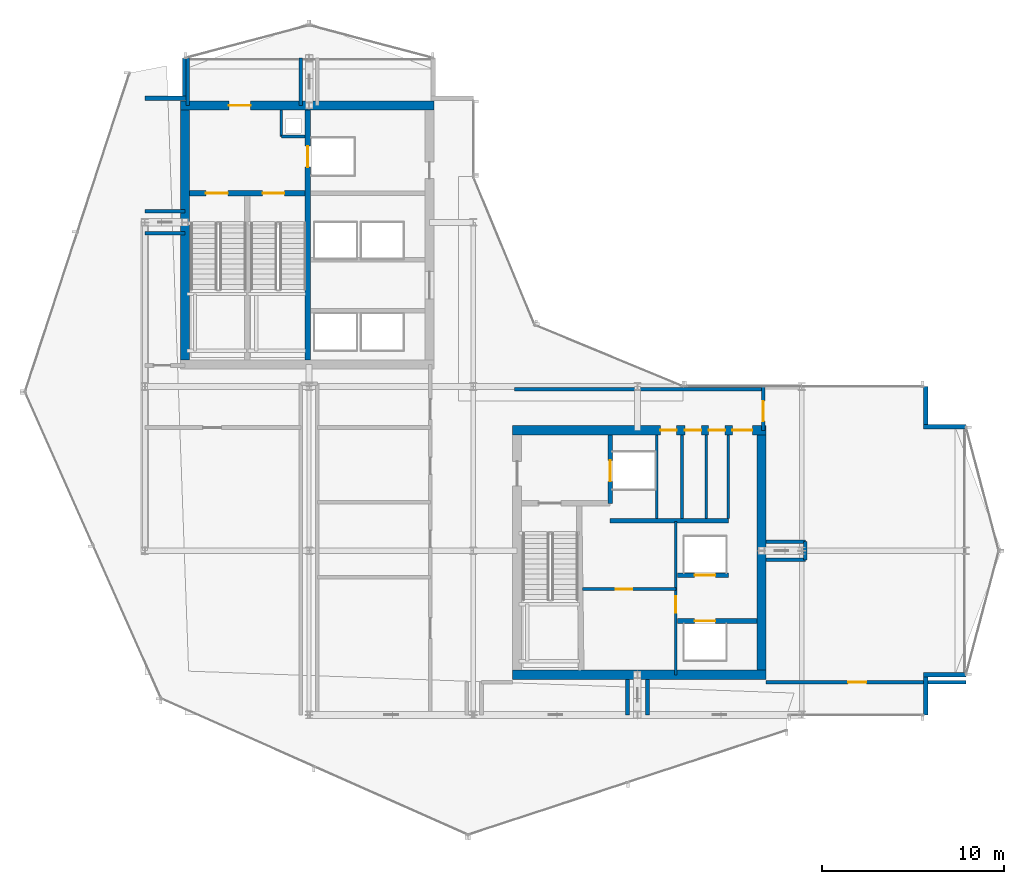
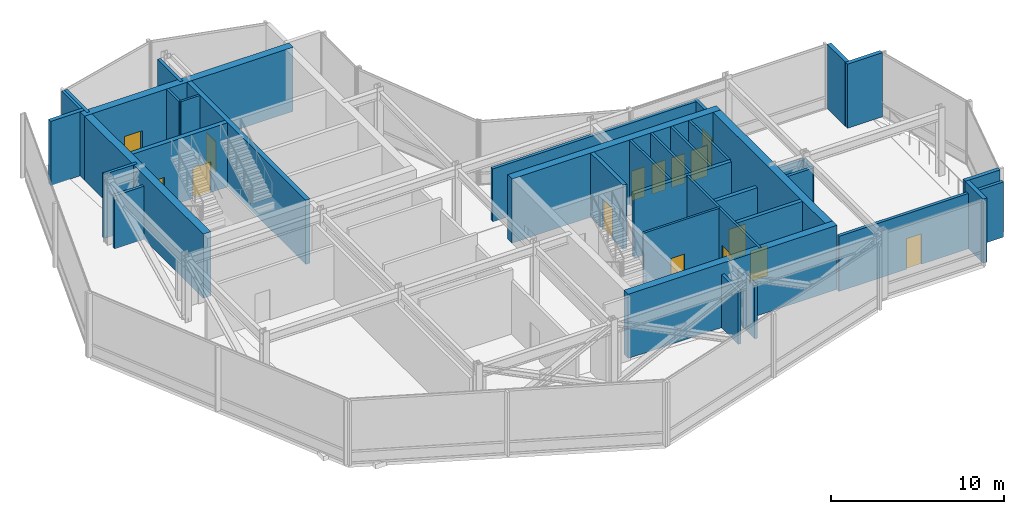
# One storey, part 23 of 30: 37 walls, 15 doors, 15 openings.
"""IFC4 building model written with IfcOpenShell, lengths in metres."""

from ifc_helpers import new_model, si_unit, direction, frame, frame_2d, origin, place, context, subcontext, project, spatial, rectangle, extrude, material, layer, layer_set, type_object, element, fill, save


model = new_model("IFC4")

# Units and contexts
model_context = context("Model", 3, precision=1e-05, world=origin(), true_north=direction((0.0, 1.0)))
body_context = subcontext(model_context, "Body", "Model", "MODEL_VIEW")
ifc_project = project(units=[si_unit("LENGTHUNIT", "METRE"), si_unit("AREAUNIT", "SQUARE_METRE"), si_unit("VOLUMEUNIT", "CUBIC_METRE"), si_unit("PLANEANGLEUNIT", "RADIAN"), si_unit("MASSUNIT", "GRAM", prefix="KILO")], contexts=[model_context])

# Site, building, storey
site_placement = place(None, origin())
site = spatial("IfcSite", under=ifc_project, at=site_placement, CompositionType="ELEMENT")
building_placement = place(site_placement, origin())
building = spatial("IfcBuilding", under=site, at=building_placement, Name="Solvaryn Broadcast Tower", CompositionType="ELEMENT")
storey_placement = place(building_placement, frame((0.0, 0.0, 196.39990234375)))
storey = spatial("IfcBuildingStorey", under=building, at=storey_placement, Name="L49", CompositionType="ELEMENT", Elevation=196.39990234375)

# Wall, opening, door
ifc_material_1 = material(Name="Concrete f'c 70 MPa", Category="concrete")
ifc_layer_1 = layer(ifc_material_1, 0.5)
ifc_layer_set_1 = layer_set([ifc_layer_1], Name="CW-SHEAR-500")
wall_type_1 = type_object("IfcWallType", Name="CW-SHEAR-500", PredefinedType="SHEAR", material=ifc_layer_set_1)
wall_1_placement = place(storey_placement, frame((24.85009765625, 42.39990234375, 0.0), z_axis=(0.0, 0.0, 1.0), x_axis=(-1.0, 0.0, 0.0)))
wall_1 = element("IfcWall", 1, at=wall_1_placement, inside=storey, type_object=wall_type_1, Name="L49 West Core North Shear Wall", PredefinedType="SHEAR", context=body_context, shape_type="SweptSolid", body=[
    extrude(rectangle(XDim=13.900146484375, YDim=0.5, at=frame_2d((6.9501953125, 0.0))), origin(), (0.0, 0.0, 1.0), 4.52001953125),
])
opening_1_placement = place(wall_1_placement, frame((10.050048828125, 0.0, 0.0)))
opening_1 = element("IfcOpeningElement", 2, at=opening_1_placement, cuts=wall_1, Name="Opening FD90A", PredefinedType="OPENING", context=body_context, shape_type="SweptSolid", body=[
    extrude(rectangle(XDim=1.199951171875, YDim=2.14990234375, at=frame_2d((0.60009765625, 1.074951171875))), frame((0.0, 0.260009765625, 0.0), z_axis=(0.0, -1.0, 0.0), x_axis=(1.0, 0.0, 0.0)), (0.0, 0.0, 1.0), 0.52001953125),
])
ifc_material_2 = material(Name="Flush Acoustic Steel and Timber Door Assembly", Category="steel")
door_type_1 = type_object("IfcDoorType", Name="FD90-STAIR-1200X2150", OperationType="NOTDEFINED", PredefinedType="DOOR", material=ifc_material_2)
door_1_placement = place(opening_1_placement, origin())
door_1 = element("IfcDoor", 3, at=door_1_placement, inside=storey, type_object=door_type_1, Name="L49 West FSAE Lobby Corridor Door", OperationType="SINGLE_SWING_LEFT", OverallHeight=2.14990234375, OverallWidth=1.199951171875, PredefinedType="DOOR", context=body_context, shape_type="SweptSolid", body=[
    extrude(rectangle(XDim=1.199951171875, YDim=2.14990234375, at=frame_2d((0.60009765625, 1.074951171875))), frame((0.0, 0.02490234375, 0.0), z_axis=(0.0, -1.0, 0.0), x_axis=(1.0, 0.0, 0.0)), (0.0, 0.0, 1.0), 0.050048828125),
])
fill(opening_1, door_1)

# Walls
wall_2_placement = place(storey_placement, frame((11.199951171875, 42.14990234375, 0.0), z_axis=(0.0, 0.0, 1.0), x_axis=(0.0, -1.0, 0.0)))
element("IfcWall", 4, at=wall_2_placement, inside=storey, type_object=wall_type_1, Name="L49 West Core West Shear Wall", PredefinedType="SHEAR", context=body_context, shape_type="SweptSolid", body=[
    extrude(rectangle(XDim=13.699951171875, YDim=0.5, at=frame_2d((6.85009765625, 0.0))), origin(), (0.0, 0.0, 1.0), 4.52001953125),
])
wall_3_placement = place(storey_placement, frame((29.14990234375, 11.199951171875, 0.0), z_axis=(0.0, 0.0, 1.0), x_axis=(1.0, 0.0, 0.0)))
element("IfcWall", 5, at=wall_3_placement, inside=storey, type_object=wall_type_1, Name="L49 East Core South Shear Wall", PredefinedType="SHEAR", context=body_context, shape_type="SweptSolid", body=[
    extrude(rectangle(XDim=13.900146484375, YDim=0.5, at=frame_2d((6.9501953125, 0.0))), origin(), (0.0, 0.0, 1.0), 4.52001953125),
])

# Wall, openings, doors
wall_4_placement = place(storey_placement, frame((43.050048828125, 24.60009765625, 0.0), z_axis=(0.0, 0.0, 1.0), x_axis=(-1.0, 0.0, 0.0)))
wall_4 = element("IfcWall", 6, at=wall_4_placement, inside=storey, type_object=wall_type_1, Name="L49 East Core North Shear Wall", PredefinedType="SHEAR", context=body_context, shape_type="SweptSolid", body=[
    extrude(rectangle(XDim=13.900146484375, YDim=0.5, at=frame_2d((6.9501953125, 0.0))), origin(), (0.0, 0.0, 1.0), 4.52001953125),
])
opening_2_placement = place(wall_4_placement, frame((0.75, 0.0, 0.0)))
opening_2 = element("IfcOpeningElement", 7, at=opening_2_placement, cuts=wall_4, Name="Opening FD90C", PredefinedType="OPENING", context=body_context, shape_type="SweptSolid", body=[
    extrude(rectangle(XDim=1.10009765625, YDim=2.14990234375, at=frame_2d((0.550048828125, 1.074951171875))), frame((0.0, 0.260009765625, 0.0), z_axis=(0.0, -1.0, 0.0), x_axis=(1.0, 0.0, 0.0)), (0.0, 0.0, 1.0), 0.52001953125),
])
opening_3_placement = place(wall_4_placement, frame((2.25, 0.0, 0.0)))
opening_3 = element("IfcOpeningElement", 8, at=opening_3_placement, cuts=wall_4, Name="Opening FD60C", PredefinedType="OPENING", context=body_context, shape_type="SweptSolid", body=[
    extrude(rectangle(XDim=0.89990234375, YDim=2.10009765625, at=frame_2d((0.449951171875, 1.050048828125))), frame((0.0, 0.260009765625, 0.0), z_axis=(0.0, -1.0, 0.0), x_axis=(1.0, 0.0, 0.0)), (0.0, 0.0, 1.0), 0.52001953125),
])
opening_4_placement = place(wall_4_placement, frame((3.550048828125, 0.0, 0.0)))
opening_4 = element("IfcOpeningElement", 9, at=opening_4_placement, cuts=wall_4, Name="Opening FD60C", PredefinedType="OPENING", context=body_context, shape_type="SweptSolid", body=[
    extrude(rectangle(XDim=0.89990234375, YDim=2.10009765625, at=frame_2d((0.449951171875, 1.050048828125))), frame((0.0, 0.260009765625, 0.0), z_axis=(0.0, -1.0, 0.0), x_axis=(1.0, 0.0, 0.0)), (0.0, 0.0, 1.0), 0.52001953125),
])
opening_5_placement = place(wall_4_placement, frame((4.89990234375, 0.0, 0.0)))
opening_5 = element("IfcOpeningElement", 10, at=opening_5_placement, cuts=wall_4, Name="Opening FD60C", PredefinedType="OPENING", context=body_context, shape_type="SweptSolid", body=[
    extrude(rectangle(XDim=0.89990234375, YDim=2.10009765625, at=frame_2d((0.449951171875, 1.050048828125))), frame((0.0, 0.260009765625, 0.0), z_axis=(0.0, -1.0, 0.0), x_axis=(1.0, 0.0, 0.0)), (0.0, 0.0, 1.0), 0.52001953125),
])
ifc_material_3 = material(Name="Flush Acoustic Steel and Timber Door Assembly", Category="steel")
door_type_2 = type_object("IfcDoorType", Name="FD60-SERV-900X2100", OperationType="NOTDEFINED", PredefinedType="DOOR", material=ifc_material_3)
door_2_placement = place(opening_3_placement, origin())
door_2 = element("IfcDoor", 11, at=door_2_placement, inside=storey, type_object=door_type_2, Name="L49 Core Wellness Room Door", OperationType="SINGLE_SWING_RIGHT", OverallHeight=2.10009765625, OverallWidth=0.89990234375, PredefinedType="DOOR", context=body_context, shape_type="SweptSolid", body=[
    extrude(rectangle(XDim=0.89990234375, YDim=2.10009765625, at=frame_2d((0.449951171875, 1.050048828125))), frame((0.0, 0.02490234375, 0.0), z_axis=(0.0, -1.0, 0.0), x_axis=(1.0, 0.0, 0.0)), (0.0, 0.0, 1.0), 0.050048828125),
])
fill(opening_3, door_2)
door_3_placement = place(opening_4_placement, origin())
door_3 = element("IfcDoor", 12, at=door_3_placement, inside=storey, type_object=door_type_2, Name="L49 Staff Restroom Door", OperationType="SINGLE_SWING_LEFT", OverallHeight=2.10009765625, OverallWidth=0.89990234375, PredefinedType="DOOR", context=body_context, shape_type="SweptSolid", body=[
    extrude(rectangle(XDim=0.89990234375, YDim=2.10009765625, at=frame_2d((0.449951171875, 1.050048828125))), frame((0.0, 0.02490234375, 0.0), z_axis=(0.0, -1.0, 0.0), x_axis=(1.0, 0.0, 0.0)), (0.0, 0.0, 1.0), 0.050048828125),
])
fill(opening_4, door_3)
door_4_placement = place(opening_5_placement, origin())
door_4 = element("IfcDoor", 13, at=door_4_placement, inside=storey, type_object=door_type_2, Name="L49 Accessible WC Door", OperationType="SINGLE_SWING_RIGHT", OverallHeight=2.10009765625, OverallWidth=0.89990234375, PredefinedType="DOOR", context=body_context, shape_type="SweptSolid", body=[
    extrude(rectangle(XDim=0.89990234375, YDim=2.10009765625, at=frame_2d((0.449951171875, 1.050048828125))), frame((0.0, 0.02490234375, 0.0), z_axis=(0.0, -1.0, 0.0), x_axis=(1.0, 0.0, 0.0)), (0.0, 0.0, 1.0), 0.050048828125),
])
fill(opening_5, door_4)
ifc_material_4 = material(Name="Flush Acoustic Steel and Timber Door Assembly", Category="steel")
door_type_3 = type_object("IfcDoorType", Name="FD90-PLANT-1100X2150", OperationType="NOTDEFINED", PredefinedType="DOOR", material=ifc_material_4)
door_5_placement = place(opening_2_placement, origin())
door_5 = element("IfcDoor", 14, at=door_5_placement, inside=storey, type_object=door_type_3, Name="L49 East Core Lobby Corridor Door", OperationType="SINGLE_SWING_LEFT", OverallHeight=2.14990234375, OverallWidth=1.10009765625, PredefinedType="DOOR", context=body_context, shape_type="SweptSolid", body=[
    extrude(rectangle(XDim=1.10009765625, YDim=2.14990234375, at=frame_2d((0.550048828125, 1.074951171875))), frame((0.0, 0.02490234375, 0.0), z_axis=(0.0, -1.0, 0.0), x_axis=(1.0, 0.0, 0.0)), (0.0, 0.0, 1.0), 0.050048828125),
])
fill(opening_2, door_5)

# Walls
wall_5_placement = place(storey_placement, frame((42.800048828125, 11.449951171875, 0.0), z_axis=(0.0, 0.0, 1.0), x_axis=(0.0, 1.0, 0.0)))
element("IfcWall", 15, at=wall_5_placement, inside=storey, type_object=wall_type_1, Name="L49 East Core East Shear Wall", PredefinedType="SHEAR", context=body_context, shape_type="SweptSolid", body=[
    extrude(rectangle(XDim=12.900146484375, YDim=0.5, at=frame_2d((6.4501953125, 0.0))), origin(), (0.0, 0.0, 1.0), 4.52001953125),
])
ifc_material_5 = material(Name="Concrete f'c 50 MPa", Category="concrete")
ifc_layer_2 = layer(ifc_material_5, 0.260009765625)
ifc_layer_set_2 = layer_set([ifc_layer_2], Name="EW-PIER-260")
wall_type_2 = type_object("IfcWallType", Name="EW-PIER-260", PredefinedType="SOLIDWALL", material=ifc_layer_set_2)
wall_6_placement = place(storey_placement, frame((9.0, 42.800048828125, 0.0), z_axis=(0.0, 0.0, 1.0), x_axis=(1.0, 0.0, 0.0)))
element("IfcWall", 16, at=wall_6_placement, inside=storey, type_object=wall_type_2, Name="L49 Notched Corner Pier Wall NNW1", PredefinedType="SOLIDWALL", context=body_context, shape_type="SweptSolid", body=[
    extrude(rectangle(XDim=2.320068359375, YDim=0.260009765625, at=frame_2d((1.16015625, 0.0))), origin(), (0.0, 0.0, 1.0), 4.52001953125),
])
for number, where, z_axis, x_axis, name in (
    (17, (11.199951171875, 42.919921875, 0.0), (0.0, 0.0, 1.0), (0.0, 1.0, 0.0), "L49 Notched Corner Pier Wall NNW2"),
    (18, (51.800048828125, 9.0, 0.0), (0.0, 0.0, 1.0), (0.0, 1.0, 0.0), "L49 Notched Corner Pier Wall NSE1"),
):
    element("IfcWall", number, at=place(storey_placement, frame(where, z_axis=z_axis, x_axis=x_axis)), inside=storey, type_object=wall_type_2, Name=name, PredefinedType="SOLIDWALL", context=body_context, shape_type="SweptSolid", body=[
        extrude(rectangle(XDim=2.080078125, YDim=0.260009765625, at=frame_2d((1.0400390625, 0.0))), origin(), (0.0, 0.0, 1.0), 4.52001953125),
    ])
for number, where, z_axis, x_axis, name in (
    (19, (51.679931640625, 11.199951171875, 0.0), (0.0, 0.0, 1.0), (1.0, 0.0, 0.0), "L49 Notched Corner Pier Wall NSE2"),
    (20, (54.0, 24.800048828125, 0.0), (0.0, 0.0, 1.0), (-1.0, 0.0, 0.0), "L49 Notched Corner Pier Wall NEE1"),
):
    element("IfcWall", number, at=place(storey_placement, frame(where, z_axis=z_axis, x_axis=x_axis)), inside=storey, type_object=wall_type_2, Name=name, PredefinedType="SOLIDWALL", context=body_context, shape_type="SweptSolid", body=[
        extrude(rectangle(XDim=2.320068359375, YDim=0.260009765625, at=frame_2d((1.16015625, 0.0))), origin(), (0.0, 0.0, 1.0), 4.52001953125),
    ])
wall_7_placement = place(storey_placement, frame((51.800048828125, 24.919921875, 0.0), z_axis=(0.0, 0.0, 1.0), x_axis=(0.0, 1.0, 0.0)))
element("IfcWall", 21, at=wall_7_placement, inside=storey, type_object=wall_type_2, Name="L49 Notched Corner Pier Wall NEE2", PredefinedType="SOLIDWALL", context=body_context, shape_type="SweptSolid", body=[
    extrude(rectangle(XDim=2.080078125, YDim=0.260009765625, at=frame_2d((1.0400390625, 0.0))), origin(), (0.0, 0.0, 1.0), 4.52001953125),
])
ifc_material_6 = material(Name="Metal-Stud Service Core Partition")
ifc_layer_3 = layer(ifc_material_6, 0.14990234375)
ifc_layer_set_3 = layer_set([ifc_layer_3], Name="IW-PART-150")
wall_type_3 = type_object("IfcWallType", Name="IW-PART-150", PredefinedType="PARTITIONING", material=ifc_layer_set_3)
wall_8_placement = place(storey_placement, frame((16.47998046875, 40.699951171875, 0.0), z_axis=(0.0, 0.0, 1.0), x_axis=(1.0, 0.0, 0.0)))
element("IfcWall", 22, at=wall_8_placement, inside=storey, type_object=wall_type_3, Name="L49 West Core Riser Shaft South Wall", PredefinedType="PARTITIONING", context=body_context, shape_type="SweptSolid", body=[
    extrude(rectangle(XDim=1.2900390625, YDim=0.14990234375, at=frame_2d((0.64501953125, 0.0))), origin(), (0.0, 0.0, 1.0), 4.52001953125),
])
wall_9_placement = place(storey_placement, frame((16.47998046875, 40.699951171875, 0.0), z_axis=(0.0, 0.0, 1.0), x_axis=(0.0, 1.0, 0.0)))
element("IfcWall", 23, at=wall_9_placement, inside=storey, type_object=wall_type_3, Name="L49 West Core Riser Shaft West Wall", PredefinedType="PARTITIONING", context=body_context, shape_type="SweptSolid", body=[
    extrude(rectangle(XDim=1.449951171875, YDim=0.14990234375, at=frame_2d((0.72509765625, 0.0))), origin(), (0.0, 0.0, 1.0), 4.52001953125),
])

# Wall, opening, door
wall_10_placement = place(storey_placement, frame((33.0, 15.89990234375, 0.0), z_axis=(0.0, 0.0, 1.0), x_axis=(1.0, 0.0, 0.0)))
wall_10 = element("IfcWall", 24, at=wall_10_placement, inside=storey, type_object=wall_type_3, Name="L49 Interior Partition IW-L49-RPL-H", PredefinedType="PARTITIONING", context=body_context, shape_type="SweptSolid", body=[
    extrude(rectangle(XDim=5.10009765625, YDim=0.14990234375, at=frame_2d((2.550048828125, 0.0))), origin(), (0.0, 0.0, 1.0), 4.52001953125),
])
opening_6_placement = place(wall_10_placement, frame((1.800048828125, 0.0, 0.0)))
opening_6 = element("IfcOpeningElement", 25, at=opening_6_placement, cuts=wall_10, Name="Opening FD60C", PredefinedType="OPENING", context=body_context, shape_type="SweptSolid", body=[
    extrude(rectangle(XDim=0.89990234375, YDim=2.10009765625, at=frame_2d((0.449951171875, 1.050048828125))), frame((0.0, 0.0849609375, 0.0), z_axis=(0.0, -1.0, 0.0), x_axis=(1.0, 0.0, 0.0)), (0.0, 0.0, 1.0), 0.169921875),
])
door_6_placement = place(opening_6_placement, origin())
door_6 = element("IfcDoor", 26, at=door_6_placement, inside=storey, type_object=door_type_2, Name="L49 Door DR-L49-RPL1", OperationType="SINGLE_SWING_LEFT", OverallHeight=2.10009765625, OverallWidth=0.89990234375, PredefinedType="DOOR", context=body_context, shape_type="SweptSolid", body=[
    extrude(rectangle(XDim=0.89990234375, YDim=2.10009765625, at=frame_2d((0.449951171875, 1.050048828125))), frame((0.0, 0.02490234375, 0.0), z_axis=(0.0, -1.0, 0.0), x_axis=(1.0, 0.0, 0.0)), (0.0, 0.0, 1.0), 0.050048828125),
])
fill(opening_6, door_6)

wall_11_placement = place(storey_placement, frame((38.10009765625, 11.199951171875, 0.0), z_axis=(0.0, 0.0, 1.0), x_axis=(0.0, 1.0, 0.0)))
wall_11 = element("IfcWall", 27, at=wall_11_placement, inside=storey, type_object=wall_type_3, Name="L49 Interior Partition IW-L49-RPL-E", PredefinedType="PARTITIONING", context=body_context, shape_type="SweptSolid", body=[
    extrude(rectangle(XDim=8.400146484375, YDim=0.14990234375, at=frame_2d((4.2001953125, 0.0))), origin(), (0.0, 0.0, 1.0), 4.52001953125),
])
opening_7_placement = place(wall_11_placement, frame((3.39990234375, 0.0, 0.0)))
opening_7 = element("IfcOpeningElement", 28, at=opening_7_placement, cuts=wall_11, Name="Opening FD60C", PredefinedType="OPENING", context=body_context, shape_type="SweptSolid", body=[
    extrude(rectangle(XDim=0.89990234375, YDim=2.10009765625, at=frame_2d((0.449951171875, 1.050048828125))), frame((0.0, 0.0849609375, 0.0), z_axis=(0.0, -1.0, 0.0), x_axis=(1.0, 0.0, 0.0)), (0.0, 0.0, 1.0), 0.169921875),
])
door_7_placement = place(opening_7_placement, origin())
door_7 = element("IfcDoor", 29, at=door_7_placement, inside=storey, type_object=door_type_2, Name="L49 Door DR-L49-RPL2", OperationType="SINGLE_SWING_RIGHT", OverallHeight=2.10009765625, OverallWidth=0.89990234375, PredefinedType="DOOR", context=body_context, shape_type="SweptSolid", body=[
    extrude(rectangle(XDim=0.89990234375, YDim=2.10009765625, at=frame_2d((0.449951171875, 1.050048828125))), frame((0.0, 0.02490234375, 0.0), z_axis=(0.0, -1.0, 0.0), x_axis=(1.0, 0.0, 0.0)), (0.0, 0.0, 1.0), 0.050048828125),
])
fill(opening_7, door_7)

# Walls
for number, where, z_axis, x_axis, name in (
    (30, (37.050048828125, 19.780029296875, 0.0), (0.0, 0.0, 1.0), (0.0, 1.0, 0.0), "L49 Interior Partition IW-L49-CE-FL2E"),
    (31, (38.43994140625, 19.780029296875, 0.0), (0.0, 0.0, 1.0), (0.0, 1.0, 0.0), "L49 Interior Partition IW-L49-CE-V1"),
    (32, (39.77001953125, 19.780029296875, 0.0), (0.0, 0.0, 1.0), (0.0, 1.0, 0.0), "L49 Interior Partition IW-L49-CE-V2"),
    (33, (40.97998046875, 19.780029296875, 0.0), (0.0, 0.0, 1.0), (0.0, 1.0, 0.0), "L49 Interior Partition IW-L49-CE-V3"),
):
    element("IfcWall", number, at=place(storey_placement, frame(where, z_axis=z_axis, x_axis=x_axis)), inside=storey, type_object=wall_type_3, Name=name, PredefinedType="PARTITIONING", context=body_context, shape_type="SweptSolid", body=[
        extrude(rectangle(XDim=4.570068359375, YDim=0.14990234375, at=frame_2d((2.28515625, 0.0))), origin(), (0.0, 0.0, 1.0), 4.52001953125),
    ])
ifc_material_7 = material(Name="Gypsum Fire-Rated Shaftwall Assembly", Category="concrete")
ifc_layer_4 = layer(ifc_material_7, 0.199951171875)
ifc_layer_set_4 = layer_set([ifc_layer_4], Name="IW-RATED-200")
wall_type_4 = type_object("IfcWallType", Name="IW-RATED-200", PredefinedType="PARTITIONING", material=ifc_layer_set_4)
wall_12_placement = place(storey_placement, frame((9.0, 35.39990234375, 0.0), z_axis=(0.0, 0.0, 1.0), x_axis=(1.0, 0.0, 0.0)))
element("IfcWall", 34, at=wall_12_placement, inside=storey, type_object=wall_type_4, Name="L49 Interior Partition IW-L49-MW3N", PredefinedType="PARTITIONING", context=body_context, shape_type="SweptSolid", body=[
    extrude(rectangle(XDim=2.199951171875, YDim=0.199951171875, at=frame_2d((1.10009765625, 0.0))), origin(), (0.0, 0.0, 1.0), 3.734130859375),
])
wall_13_placement = place(storey_placement, frame((9.0, 36.60009765625, 0.0), z_axis=(0.0, 0.0, 1.0), x_axis=(1.0, 0.0, 0.0)))
element("IfcWall", 35, at=wall_13_placement, inside=storey, type_object=wall_type_4, Name="L49 Interior Partition IW-L49-MW3S", PredefinedType="PARTITIONING", context=body_context, shape_type="SweptSolid", body=[
    extrude(rectangle(XDim=2.199951171875, YDim=0.199951171875, at=frame_2d((1.10009765625, 0.0))), origin(), (0.0, 0.0, 1.0), 4.52001953125),
])

# Wall, opening, door
wall_14_placement = place(storey_placement, frame((43.050048828125, 10.800048828125, 0.0), z_axis=(0.0, 0.0, 1.0), x_axis=(1.0, 0.0, 0.0)))
wall_14 = element("IfcWall", 36, at=wall_14_placement, inside=storey, type_object=wall_type_4, Name="L49 Interior Partition IW-L49-MW4B", PredefinedType="PARTITIONING", context=body_context, shape_type="SweptSolid", body=[
    extrude(rectangle(XDim=10.949951171875, YDim=0.199951171875, at=frame_2d((5.47509765625, 0.0))), origin(), (0.0, 0.0, 1.0), 3.89208984375),
])
opening_8_placement = place(wall_14_placement, frame((4.5, 0.0, 0.0)))
opening_8 = element("IfcOpeningElement", 37, at=opening_8_placement, cuts=wall_14, Name="Opening FD90D", PredefinedType="OPENING", context=body_context, shape_type="SweptSolid", body=[
    extrude(rectangle(XDim=1.0, YDim=2.14990234375, at=frame_2d((0.5, 1.074951171875))), frame((0.0, 0.110107421875, 0.0), z_axis=(0.0, -1.0, 0.0), x_axis=(1.0, 0.0, 0.0)), (0.0, 0.0, 1.0), 0.219970703125),
])
ifc_material_8 = material(Name="Flush Acoustic Steel and Timber Door Assembly", Category="steel")
door_type_4 = type_object("IfcDoorType", Name="FD90-FCC-1000X2150", OperationType="NOTDEFINED", PredefinedType="DOOR", material=ifc_material_8)
door_8_placement = place(opening_8_placement, origin())
door_8 = element("IfcDoor", 38, at=door_8_placement, inside=storey, type_object=door_type_4, Name="L49 Door DR-L49-MD5B", OperationType="SINGLE_SWING_LEFT", OverallHeight=2.14990234375, OverallWidth=1.0, PredefinedType="DOOR", context=body_context, shape_type="SweptSolid", body=[
    extrude(rectangle(XDim=1.0, YDim=2.14990234375, at=frame_2d((0.5, 1.074951171875))), frame((0.0, 0.02490234375, 0.0), z_axis=(0.0, -1.0, 0.0), x_axis=(1.0, 0.0, 0.0)), (0.0, 0.0, 1.0), 0.050048828125),
])
fill(opening_8, door_8)

# Walls
for number, where, z_axis, x_axis, name in (
    (39, (35.449951171875, 9.0, 0.0), (0.0, 0.0, 1.0), (0.0, 1.0, 0.0), "L49 Interior Partition IW-L49-MW4W"),
    (40, (36.550048828125, 9.0, 0.0), (0.0, 0.0, 1.0), (0.0, 1.0, 0.0), "L49 Interior Partition IW-L49-MW4E"),
):
    element("IfcWall", number, at=place(storey_placement, frame(where, z_axis=z_axis, x_axis=x_axis)), inside=storey, type_object=wall_type_4, Name=name, PredefinedType="PARTITIONING", context=body_context, shape_type="SweptSolid", body=[
        extrude(rectangle(XDim=1.949951171875, YDim=0.199951171875, at=frame_2d((0.97509765625, 0.0))), origin(), (0.0, 0.0, 1.0), 3.734130859375),
    ])
wall_15_placement = place(storey_placement, frame((29.25, 26.85009765625, 0.0), z_axis=(0.0, 0.0, 1.0), x_axis=(1.0, 0.0, 0.0)))
element("IfcWall", 41, at=wall_15_placement, inside=storey, type_object=wall_type_4, Name="L49 Interior Partition IW-L49-MW6", PredefinedType="PARTITIONING", context=body_context, shape_type="SweptSolid", body=[
    extrude(rectangle(XDim=13.550048828125, YDim=0.199951171875, at=frame_2d((6.77490234375, 0.0))), origin(), (0.0, 0.0, 1.0), 3.734130859375),
])
for number, where, z_axis, x_axis, name in (
    (42, (17.550048828125, 42.39990234375, 0.0), (0.0, 0.0, 1.0), (0.0, 1.0, 0.0), "L49 Interior Partition IW-L49-MW7W"),
    (43, (11.35009765625, 42.39990234375, 0.0), (0.0, 0.0, 1.0), (0.0, 1.0, 0.0), "L49 Interior Partition IW-L49-MW8"),
):
    element("IfcWall", number, at=place(storey_placement, frame(where, z_axis=z_axis, x_axis=x_axis)), inside=storey, type_object=wall_type_4, Name=name, PredefinedType="PARTITIONING", context=body_context, shape_type="SweptSolid", body=[
        extrude(rectangle(XDim=2.60009765625, YDim=0.199951171875, at=frame_2d((1.300048828125, 0.0))), origin(), (0.0, 0.0, 1.0), 4.52001953125),
    ])

# Wall, opening, door
wall_16_placement = place(storey_placement, frame((42.89990234375, 24.60009765625, 0.0), z_axis=(0.0, 0.0, 1.0), x_axis=(0.0, 1.0, 0.0)))
wall_16 = element("IfcWall", 44, at=wall_16_placement, inside=storey, type_object=wall_type_4, Name="L49 Interior Partition IW-L49-MW9", PredefinedType="PARTITIONING", context=body_context, shape_type="SweptSolid", body=[
    extrude(rectangle(XDim=2.39990234375, YDim=0.199951171875, at=frame_2d((1.199951171875, 0.0))), origin(), (0.0, 0.0, 1.0), 3.734130859375),
])
opening_9_placement = place(wall_16_placement, frame((0.5, 0.0, 0.0)))
opening_9 = element("IfcOpeningElement", 45, at=opening_9_placement, cuts=wall_16, Name="Opening FD90C", PredefinedType="OPENING", context=body_context, shape_type="SweptSolid", body=[
    extrude(rectangle(XDim=1.10009765625, YDim=2.14990234375, at=frame_2d((0.550048828125, 1.074951171875))), frame((0.0, 0.110107421875, 0.0), z_axis=(0.0, -1.0, 0.0), x_axis=(1.0, 0.0, 0.0)), (0.0, 0.0, 1.0), 0.219970703125),
])
door_9_placement = place(opening_9_placement, origin())
door_9 = element("IfcDoor", 46, at=door_9_placement, inside=storey, type_object=door_type_3, Name="L49 Door DR-L49-MD5A", OperationType="SINGLE_SWING_RIGHT", OverallHeight=2.14990234375, OverallWidth=1.10009765625, PredefinedType="DOOR", context=body_context, shape_type="SweptSolid", body=[
    extrude(rectangle(XDim=1.10009765625, YDim=2.14990234375, at=frame_2d((0.550048828125, 1.074951171875))), frame((0.0, 0.02490234375, 0.0), z_axis=(0.0, -1.0, 0.0), x_axis=(1.0, 0.0, 0.0)), (0.0, 0.0, 1.0), 0.050048828125),
])
fill(opening_9, door_9)

# Walls
for number, where, z_axis, x_axis, name in (
    (47, (43.050048828125, 18.5, 0.0), (0.0, 0.0, 1.0), (1.0, 0.0, 0.0), "L49 Interior Partition IW-L49-MW9N"),
    (48, (43.050048828125, 17.5, 0.0), (0.0, 0.0, 1.0), (1.0, 0.0, 0.0), "L49 Interior Partition IW-L49-MW9S"),
):
    element("IfcWall", number, at=place(storey_placement, frame(where, z_axis=z_axis, x_axis=x_axis)), inside=storey, type_object=wall_type_4, Name=name, PredefinedType="PARTITIONING", context=body_context, shape_type="SweptSolid", body=[
        extrude(rectangle(XDim=2.14990234375, YDim=0.199951171875, at=frame_2d((1.074951171875, 0.0))), origin(), (0.0, 0.0, 1.0), 3.89208984375),
    ])
wall_17_placement = place(storey_placement, frame((45.199951171875, 17.5, 0.0), z_axis=(0.0, 0.0, 1.0), x_axis=(0.0, 1.0, 0.0)))
element("IfcWall", 49, at=wall_17_placement, inside=storey, type_object=wall_type_4, Name="L49 Interior Partition IW-L49-MW9E", PredefinedType="PARTITIONING", context=body_context, shape_type="SweptSolid", body=[
    extrude(rectangle(XDim=1.0, YDim=0.199951171875, at=frame_2d((0.5, 0.0))), origin(), (0.0, 0.0, 1.0), 3.88916015625),
])

# Wall, opening, door
ifc_material_9 = material(Name="Concrete f'c 60 MPa", Category="concrete")
ifc_layer_5 = layer(ifc_material_9, 0.25)
ifc_layer_set_5 = layer_set([ifc_layer_5], Name="SW-SHAFT-250")
wall_type_5 = type_object("IfcWallType", Name="SW-SHAFT-250", PredefinedType="PARTITIONING", material=ifc_layer_set_5)
wall_18_placement = place(storey_placement, frame((34.5, 20.60009765625, 0.0), z_axis=(0.0, 0.0, 1.0), x_axis=(0.0, 1.0, 0.0)))
wall_18 = element("IfcWall", 50, at=wall_18_placement, inside=storey, type_object=wall_type_5, Name="L49 East FSAE Lobby East Wall", PredefinedType="PARTITIONING", context=body_context, shape_type="SweptSolid", body=[
    extrude(rectangle(XDim=3.75, YDim=0.25, at=frame_2d((1.875, 0.0))), origin(), (0.0, 0.0, 1.0), 4.52001953125),
])
opening_10_placement = place(wall_18_placement, frame((1.199951171875, 0.0, 0.0)))
opening_10 = element("IfcOpeningElement", 51, at=opening_10_placement, cuts=wall_18, Name="Opening LD01", PredefinedType="OPENING", context=body_context, shape_type="SweptSolid", body=[
    extrude(rectangle(XDim=1.14990234375, YDim=2.14990234375, at=frame_2d((0.574951171875, 1.074951171875))), frame((0.0, 0.135009765625, 0.0), z_axis=(0.0, -1.0, 0.0), x_axis=(1.0, 0.0, 0.0)), (0.0, 0.0, 1.0), 0.27001953125),
])
ifc_material_10 = material(Name="Flush Acoustic Steel and Timber Door Assembly", Category="steel")
door_type_5 = type_object("IfcDoorType", Name="LD-LIFT-1150X2150", OperationType="NOTDEFINED", PredefinedType="DOOR", material=ifc_material_10)
door_10_placement = place(opening_10_placement, origin())
door_10 = element("IfcDoor", 52, at=door_10_placement, inside=storey, type_object=door_type_5, Name="L49 FL2 Lift Landing Door", OperationType="DOUBLE_DOOR_SLIDING", OverallHeight=2.14990234375, OverallWidth=1.14990234375, PredefinedType="DOOR", context=body_context, shape_type="SweptSolid", body=[
    extrude(rectangle(XDim=1.14990234375, YDim=2.14990234375, at=frame_2d((0.574951171875, 1.074951171875))), frame((0.0, 0.02490234375, 0.0), z_axis=(0.0, -1.0, 0.0), x_axis=(1.0, 0.0, 0.0)), (0.0, 0.0, 1.0), 0.050048828125),
])
fill(opening_10, door_10)

# Wall
wall_19_placement = place(storey_placement, frame((34.5, 19.64990234375, 0.0), z_axis=(0.0, 0.0, 1.0), x_axis=(1.0, 0.0, 0.0)))
element("IfcWall", 53, at=wall_19_placement, inside=storey, type_object=wall_type_5, Name="L49 East Core Restroom South Wall", PredefinedType="PARTITIONING", context=body_context, shape_type="SweptSolid", body=[
    extrude(rectangle(XDim=6.47998046875, YDim=0.25, at=frame_2d((3.239990234375, 0.0))), origin(), (0.0, 0.0, 1.0), 4.52001953125),
])

# Wall, opening, door
wall_20_placement = place(storey_placement, frame((38.199951171875, 14.14990234375, 0.0), z_axis=(0.0, 0.0, 1.0), x_axis=(1.0, 0.0, 0.0)))
wall_20 = element("IfcWall", 54, at=wall_20_placement, inside=storey, type_object=wall_type_5, Name="L49 East Lift Bank South Wall", PredefinedType="PARTITIONING", context=body_context, shape_type="SweptSolid", body=[
    extrude(rectangle(XDim=4.35009765625, YDim=0.25, at=frame_2d((2.175048828125, 0.0))), origin(), (0.0, 0.0, 1.0), 4.52001953125),
])
opening_11_placement = place(wall_20_placement, frame((0.925048828125, 0.0, 0.0)))
opening_11 = element("IfcOpeningElement", 55, at=opening_11_placement, cuts=wall_20, Name="Opening LD01", PredefinedType="OPENING", context=body_context, shape_type="SweptSolid", body=[
    extrude(rectangle(XDim=1.14990234375, YDim=2.14990234375, at=frame_2d((0.574951171875, 1.074951171875))), frame((0.0, 0.135009765625, 0.0), z_axis=(0.0, -1.0, 0.0), x_axis=(1.0, 0.0, 0.0)), (0.0, 0.0, 1.0), 0.27001953125),
])
door_11_placement = place(opening_11_placement, origin())
door_11 = element("IfcDoor", 56, at=door_11_placement, inside=storey, type_object=door_type_5, Name="L49 PM1 Lift Landing Door", OperationType="DOUBLE_DOOR_SLIDING", OverallHeight=2.14990234375, OverallWidth=1.14990234375, PredefinedType="DOOR", context=body_context, shape_type="SweptSolid", body=[
    extrude(rectangle(XDim=1.14990234375, YDim=2.14990234375, at=frame_2d((0.574951171875, 1.074951171875))), frame((0.0, 0.02490234375, 0.0), z_axis=(0.0, -1.0, 0.0), x_axis=(1.0, 0.0, 0.0)), (0.0, 0.0, 1.0), 0.050048828125),
])
fill(opening_11, door_11)

wall_21_placement = place(storey_placement, frame((40.97998046875, 16.64990234375, 0.0), z_axis=(0.0, 0.0, 1.0), x_axis=(-1.0, 0.0, 0.0)))
wall_21 = element("IfcWall", 57, at=wall_21_placement, inside=storey, type_object=wall_type_5, Name="L49 East Lift Bank North Wall", PredefinedType="PARTITIONING", context=body_context, shape_type="SweptSolid", body=[
    extrude(rectangle(XDim=2.780029296875, YDim=0.25, at=frame_2d((1.39013671875, 0.0))), origin(), (0.0, 0.0, 1.0), 4.52001953125),
])
opening_12_placement = place(wall_21_placement, frame((0.705078125, 0.0, 0.0)))
opening_12 = element("IfcOpeningElement", 58, at=opening_12_placement, cuts=wall_21, Name="Opening LD01", PredefinedType="OPENING", context=body_context, shape_type="SweptSolid", body=[
    extrude(rectangle(XDim=1.14990234375, YDim=2.14990234375, at=frame_2d((0.574951171875, 1.074951171875))), frame((0.0, 0.135009765625, 0.0), z_axis=(0.0, -1.0, 0.0), x_axis=(1.0, 0.0, 0.0)), (0.0, 0.0, 1.0), 0.27001953125),
])
door_12_placement = place(opening_12_placement, origin())
door_12 = element("IfcDoor", 59, at=door_12_placement, inside=storey, type_object=door_type_5, Name="L49 PM2 Lift Landing Door", OperationType="DOUBLE_DOOR_SLIDING", OverallHeight=2.14990234375, OverallWidth=1.14990234375, PredefinedType="DOOR", context=body_context, shape_type="SweptSolid", body=[
    extrude(rectangle(XDim=1.14990234375, YDim=2.14990234375, at=frame_2d((0.574951171875, 1.074951171875))), frame((0.0, 0.02490234375, 0.0), z_axis=(0.0, -1.0, 0.0), x_axis=(1.0, 0.0, 0.0)), (0.0, 0.0, 1.0), 0.050048828125),
])
fill(opening_12, door_12)

ifc_material_11 = material(Name="Concrete f'c 70 MPa", Category="concrete")
ifc_layer_6 = layer(ifc_material_11, 0.300048828125)
ifc_layer_set_6 = layer_set([ifc_layer_6], Name="SW-SHAFT-300")
wall_type_6 = type_object("IfcWallType", Name="SW-SHAFT-300", PredefinedType="SHEAR", material=ifc_layer_set_6)
wall_22_placement = place(storey_placement, frame((17.919921875, 42.14990234375, 0.0), z_axis=(0.0, 0.0, 1.0), x_axis=(0.0, -1.0, 0.0)))
wall_22 = element("IfcWall", 60, at=wall_22_placement, inside=storey, type_object=wall_type_6, Name="L49 West Core Stair-Lobby Shear Wall", PredefinedType="SHEAR", context=body_context, shape_type="SweptSolid", body=[
    extrude(rectangle(XDim=13.699951171875, YDim=0.300048828125, at=frame_2d((6.85009765625, 0.0))), origin(), (0.0, 0.0, 1.0), 4.52001953125),
])
opening_13_placement = place(wall_22_placement, frame((1.97509765625, 0.0, 0.0)))
opening_13 = element("IfcOpeningElement", 61, at=opening_13_placement, cuts=wall_22, Name="Opening LD01", PredefinedType="OPENING", context=body_context, shape_type="SweptSolid", body=[
    extrude(rectangle(XDim=1.14990234375, YDim=2.14990234375, at=frame_2d((0.574951171875, 1.074951171875))), frame((0.0, 0.159912109375, 0.0), z_axis=(0.0, -1.0, 0.0), x_axis=(1.0, 0.0, 0.0)), (0.0, 0.0, 1.0), 0.320068359375),
])
door_13_placement = place(opening_13_placement, origin())
door_13 = element("IfcDoor", 62, at=door_13_placement, inside=storey, type_object=door_type_5, Name="L49 FL1 Lift Landing Door", OperationType="DOUBLE_DOOR_SLIDING", OverallHeight=2.14990234375, OverallWidth=1.14990234375, PredefinedType="DOOR", context=body_context, shape_type="SweptSolid", body=[
    extrude(rectangle(XDim=1.14990234375, YDim=2.14990234375, at=frame_2d((0.574951171875, 1.074951171875))), frame((0.0, 0.02490234375, 0.0), z_axis=(0.0, -1.0, 0.0), x_axis=(1.0, 0.0, 0.0)), (0.0, 0.0, 1.0), 0.050048828125),
])
fill(opening_13, door_13)

# Wall, openings, doors
wall_23_placement = place(storey_placement, frame((17.77001953125, 37.60009765625, 0.0), z_axis=(0.0, 0.0, 1.0), x_axis=(-1.0, 0.0, 0.0)))
wall_23 = element("IfcWall", 63, at=wall_23_placement, inside=storey, type_object=wall_type_6, Name="L49 West Core FSAE Lobby South Wall", PredefinedType="SHEAR", context=body_context, shape_type="SweptSolid", body=[
    extrude(rectangle(XDim=6.320068359375, YDim=0.300048828125, at=frame_2d((3.16015625, 0.0))), origin(), (0.0, 0.0, 1.0), 4.52001953125),
])
opening_14_placement = place(wall_23_placement, frame((4.219970703125, 0.0, 0.0)))
opening_14 = element("IfcOpeningElement", 64, at=opening_14_placement, cuts=wall_23, Name="Opening FD90A", PredefinedType="OPENING", context=body_context, shape_type="SweptSolid", body=[
    extrude(rectangle(XDim=1.199951171875, YDim=2.14990234375, at=frame_2d((0.60009765625, 1.074951171875))), frame((0.0, 0.159912109375, 0.0), z_axis=(0.0, -1.0, 0.0), x_axis=(1.0, 0.0, 0.0)), (0.0, 0.0, 1.0), 0.320068359375),
])
opening_15_placement = place(wall_23_placement, frame((1.1201171875, 0.0, 0.0)))
opening_15 = element("IfcOpeningElement", 65, at=opening_15_placement, cuts=wall_23, Name="Opening FD90A", PredefinedType="OPENING", context=body_context, shape_type="SweptSolid", body=[
    extrude(rectangle(XDim=1.199951171875, YDim=2.14990234375, at=frame_2d((0.60009765625, 1.074951171875))), frame((0.0, 0.159912109375, 0.0), z_axis=(0.0, -1.0, 0.0), x_axis=(1.0, 0.0, 0.0)), (0.0, 0.0, 1.0), 0.320068359375),
])
door_14_placement = place(opening_14_placement, origin())
door_14 = element("IfcDoor", 66, at=door_14_placement, inside=storey, type_object=door_type_1, Name="L49 Stair 1 Fire Door", OperationType="SINGLE_SWING_LEFT", OverallHeight=2.14990234375, OverallWidth=1.199951171875, PredefinedType="DOOR", context=body_context, shape_type="SweptSolid", body=[
    extrude(rectangle(XDim=1.199951171875, YDim=2.14990234375, at=frame_2d((0.60009765625, 1.074951171875))), frame((0.0, 0.02490234375, 0.0), z_axis=(0.0, -1.0, 0.0), x_axis=(1.0, 0.0, 0.0)), (0.0, 0.0, 1.0), 0.050048828125),
])
fill(opening_14, door_14)
door_15_placement = place(opening_15_placement, origin())
door_15 = element("IfcDoor", 67, at=door_15_placement, inside=storey, type_object=door_type_1, Name="L49 Stair 2 Fire Door", OperationType="SINGLE_SWING_RIGHT", OverallHeight=2.14990234375, OverallWidth=1.199951171875, PredefinedType="DOOR", context=body_context, shape_type="SweptSolid", body=[
    extrude(rectangle(XDim=1.199951171875, YDim=2.14990234375, at=frame_2d((0.60009765625, 1.074951171875))), frame((0.0, 0.02490234375, 0.0), z_axis=(0.0, -1.0, 0.0), x_axis=(1.0, 0.0, 0.0)), (0.0, 0.0, 1.0), 0.050048828125),
])
fill(opening_15, door_15)

save(model, "model.ifc")
